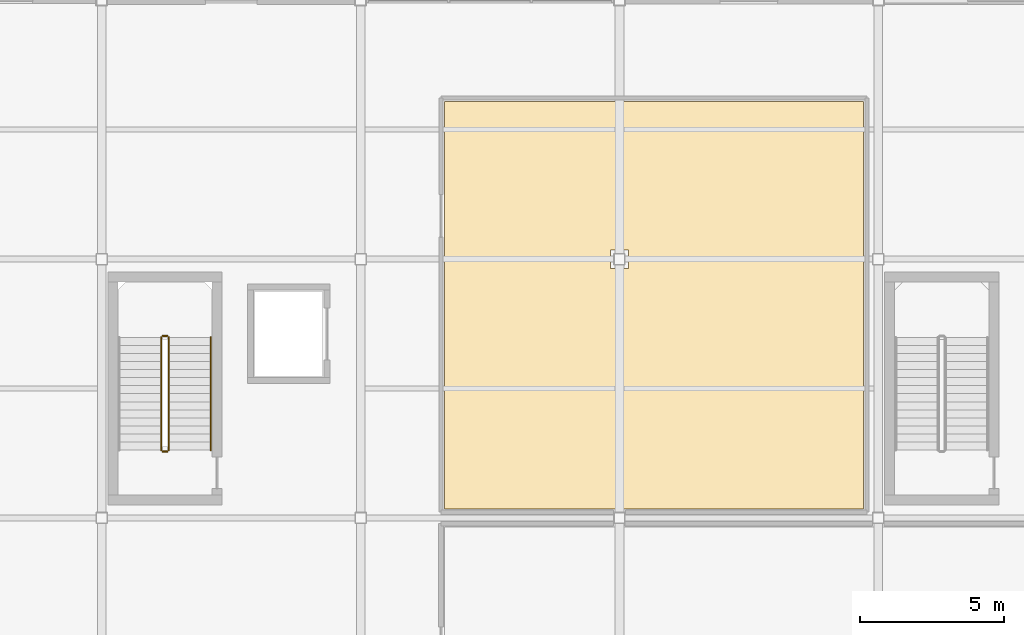
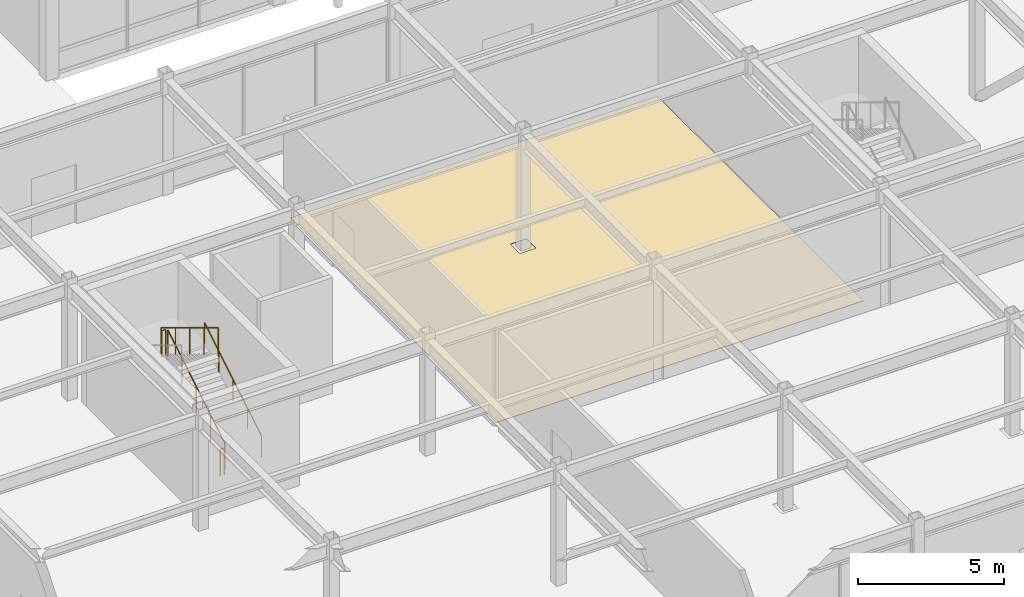
# One storey, part 116 of 123: 5 railings, 1 covering.
"""IFC4 building model written with IfcOpenShell, lengths in metres."""

from ifc_helpers import new_model, si_unit, direction, frame, origin, origin_2d, place, context, subcontext, project, spatial, polyline, circle, outline, extrude, material, layer, layer_set, type_object, element, save


model = new_model("IFC4")

# Units and contexts
model_context = context("Model", 3, precision=1e-05, world=origin(), true_north=direction((0.0, 1.0)))
body_context = subcontext(model_context, "Body", "Model", "MODEL_VIEW")
ifc_project = project(units=[si_unit("LENGTHUNIT", "METRE"), si_unit("AREAUNIT", "SQUARE_METRE"), si_unit("VOLUMEUNIT", "CUBIC_METRE"), si_unit("PLANEANGLEUNIT", "RADIAN"), si_unit("MASSUNIT", "GRAM", prefix="KILO")], contexts=[model_context])

# Site, building, storey
site_placement = place(None, origin())
site = spatial("IfcSite", under=ifc_project, at=site_placement, CompositionType="ELEMENT")
building_placement = place(site_placement, origin())
building = spatial("IfcBuilding", under=site, at=building_placement, Name="Suzunagisa Mobility Hub", CompositionType="ELEMENT")
storey_placement = place(building_placement, origin())
storey = spatial("IfcBuildingStorey", under=building, at=storey_placement, Name="L00", CompositionType="ELEMENT", Elevation=0.0)

# Railings
ifc_material_1 = material(Name="Stainless Steel SUS304", Category="metal")
railing_type_1 = type_object("IfcRailingType", Name="Interior Well Guardrail IGR-01", PredefinedType="GUARDRAIL", material=ifc_material_1)
railing_1_placement = place(storey_placement, frame((137.330078125, 20.360107421875, 0.169921875)))
element("IfcRailing", 1, at=railing_1_placement, inside=storey, type_object=railing_type_1, Name="L00 ST-09 stair guard 1", PredefinedType="GUARDRAIL", context=body_context, shape_type="SweptSolid", body=[
    extrude(circle(Radius=0.02392578125, at=origin_2d()), frame((0.0, 0.0, 1.09619140625), z_axis=(0.0, 0.854770645689, 0.519005918337), x_axis=(-1.0, 0.0, 0.0)), (0.0, 0.0, 1.0), 4.5859375),
    extrude(circle(Radius=0.02099609375, at=origin_2d()), origin(), (0.0, 0.0, 1.0), 1.072021484375),
    extrude(circle(Radius=0.02099609375, at=origin_2d()), frame((0.0, 0.97998046875, 0.594970703125)), (0.0, 0.0, 1.0), 1.072021484375),
    extrude(circle(Radius=0.02099609375, at=origin_2d()), frame((0.0, 1.9599609375, 1.18994140625)), (0.0, 0.0, 1.0), 1.072021484375),
    extrude(circle(Radius=0.02099609375, at=origin_2d()), frame((0.0, 2.93994140625, 1.78515625)), (0.0, 0.0, 1.0), 1.072021484375),
    extrude(circle(Radius=0.02099609375, at=origin_2d()), frame((0.0, 3.919921875, 2.380126953125)), (0.0, 0.0, 1.0), 1.072021484375),
])
railing_2_placement = place(storey_placement, frame((137.280029296875, 24.330078125, 2.550048828125)))
element("IfcRailing", 2, at=railing_2_placement, inside=storey, type_object=railing_type_1, Name="L00 ST-09 stair guard 2", PredefinedType="GUARDRAIL", context=body_context, shape_type="SweptSolid", body=[
    extrude(circle(Radius=0.02392578125, at=origin_2d()), frame((0.0, 0.0, 1.09619140625), z_axis=(-1.0, 0.0, 0.0), x_axis=(0.0, -1.0, 0.0)), (0.0, 0.0, 1.0), 0.159912109375),
    extrude(circle(Radius=0.02099609375, at=origin_2d()), origin(), (0.0, 0.0, 1.0), 1.072021484375),
    extrude(circle(Radius=0.02099609375, at=origin_2d()), frame((-0.159912109375, 0.0, 0.0)), (0.0, 0.0, 1.0), 1.072021484375),
])
railing_3_placement = place(storey_placement, frame((137.070068359375, 24.280029296875, 2.719970703125)))
element("IfcRailing", 3, at=railing_3_placement, inside=storey, type_object=railing_type_1, Name="L00 ST-09 stair guard 3", PredefinedType="GUARDRAIL", context=body_context, shape_type="SweptSolid", body=[
    extrude(circle(Radius=0.02392578125, at=origin_2d()), frame((0.0, 0.0, 1.09619140625), z_axis=(0.0, -0.854770645689, 0.519005918337), x_axis=(1.0, 0.0, 0.0)), (0.0, 0.0, 1.0), 4.5859375),
    extrude(circle(Radius=0.02099609375, at=origin_2d()), origin(), (0.0, 0.0, 1.0), 1.072021484375),
    extrude(circle(Radius=0.02099609375, at=origin_2d()), frame((0.0, -0.97998046875, 0.594970703125)), (0.0, 0.0, 1.0), 1.072021484375),
    extrude(circle(Radius=0.02099609375, at=origin_2d()), frame((0.0, -1.9599609375, 1.18994140625)), (0.0, 0.0, 1.0), 1.072021484375),
    extrude(circle(Radius=0.02099609375, at=origin_2d()), frame((0.0, -2.93994140625, 1.78515625)), (0.0, 0.0, 1.0), 1.072021484375),
    extrude(circle(Radius=0.02099609375, at=origin_2d()), frame((0.0, -3.919921875, 2.380126953125)), (0.0, 0.0, 1.0), 1.072021484375),
])
railing_4_placement = place(storey_placement, frame((137.280029296875, 20.31005859375, 0.0)))
element("IfcRailing", 4, at=railing_4_placement, inside=storey, type_object=railing_type_1, Name="L00 ST-09 stair guard 4", PredefinedType="GUARDRAIL", context=body_context, shape_type="SweptSolid", body=[
    extrude(circle(Radius=0.02392578125, at=origin_2d()), frame((0.0, 0.0, 1.09619140625), z_axis=(-1.0, 0.0, 0.0), x_axis=(0.0, -1.0, 0.0)), (0.0, 0.0, 1.0), 0.159912109375),
    extrude(circle(Radius=0.02099609375, at=origin_2d()), origin(), (0.0, 0.0, 1.0), 1.072021484375),
    extrude(circle(Radius=0.02099609375, at=origin_2d()), frame((-0.159912109375, 0.0, 0.0)), (0.0, 0.0, 1.0), 1.072021484375),
])

# Covering
ifc_material_2 = material(Name="Polished Aggregate Terrazzo Finish")
ifc_layer = layer(ifc_material_2, 0.02001953125)
ifc_layer_set = layer_set([ifc_layer], Name="Polished Aggregate Terrazzo Finish")
covering_type = type_object("IfcCoveringType", Name="Polished Terrazzo Heavy-Traffic Flooring FLR-01", PredefinedType="FLOORING", material=ifc_layer_set)
covering_placement = place(storey_placement, origin())
element("IfcCovering", 5, at=covering_placement, inside=storey, type_object=covering_type, Name="L00 Fleet Tyre, Brake and Chassis Workshop L00 Terrazzo Flooring", PredefinedType="FLOORING", context=body_context, shape_type="SweptSolid", body=[
    extrude(outline(polyline([(146.919921875, 18.320068359375), (146.919921875, 32.47998046875), (161.47998046875, 32.47998046875), (161.47998046875, 18.320068359375), (153.320068359375, 18.320068359375), (152.679931640625, 18.320068359375), (146.919921875, 18.320068359375)]), holes=[polyline([(153.320068359375, 27.320068359375), (152.679931640625, 27.320068359375), (152.679931640625, 26.679931640625), (153.320068359375, 26.679931640625), (153.320068359375, 27.320068359375)])]), origin(), (0.0, 0.0, 1.0), 0.02001953125),
])

# Railing
railing_type_2 = type_object("IfcRailingType", Name="Tubular Stainless Stair Handrail IHR-01", PredefinedType="HANDRAIL", material=ifc_material_1)
railing_5_placement = place(storey_placement, frame((138.7900390625, 20.360107421875, 0.169921875)))
element("IfcRailing", 6, at=railing_5_placement, inside=storey, type_object=railing_type_2, Name="L00 ST-09 stair handrail 1", PredefinedType="HANDRAIL", context=body_context, shape_type="SweptSolid", body=[
    extrude(circle(Radius=0.02392578125, at=origin_2d()), frame((0.0, 0.0, 0.8759765625), z_axis=(0.0, 0.854770645689, 0.519005918337), x_axis=(-1.0, 0.0, 0.0)), (0.0, 0.0, 1.0), 4.5859375),
    extrude(circle(Radius=0.02099609375, at=origin_2d()), origin(), (0.0, 0.0, 1.0), 0.851806640625),
    extrude(circle(Radius=0.02099609375, at=origin_2d()), frame((0.0, 0.97998046875, 0.594970703125)), (0.0, 0.0, 1.0), 0.851806640625),
    extrude(circle(Radius=0.02099609375, at=origin_2d()), frame((0.0, 1.9599609375, 1.18994140625)), (0.0, 0.0, 1.0), 0.851806640625),
    extrude(circle(Radius=0.02099609375, at=origin_2d()), frame((0.0, 2.93994140625, 1.78515625)), (0.0, 0.0, 1.0), 0.851806640625),
    extrude(circle(Radius=0.02099609375, at=origin_2d()), frame((0.0, 3.919921875, 2.380126953125)), (0.0, 0.0, 1.0), 0.851806640625),
])

save(model, "model.ifc")
